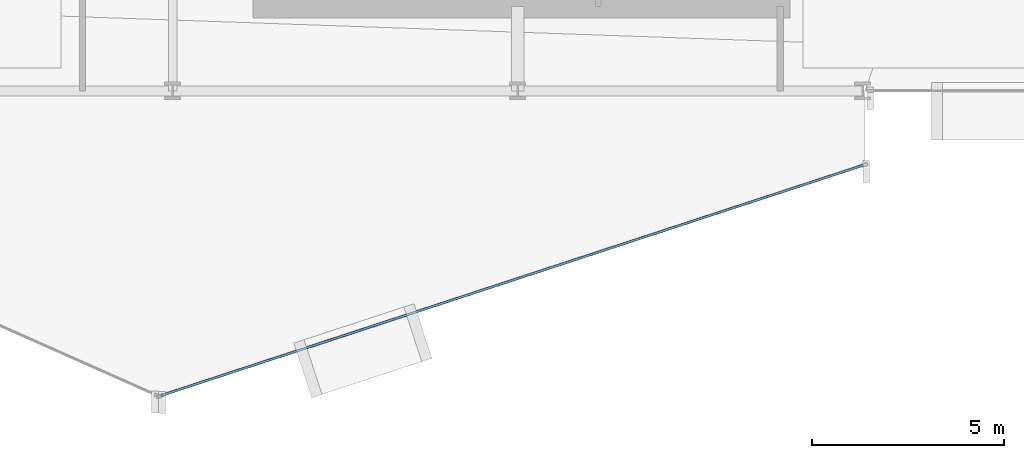
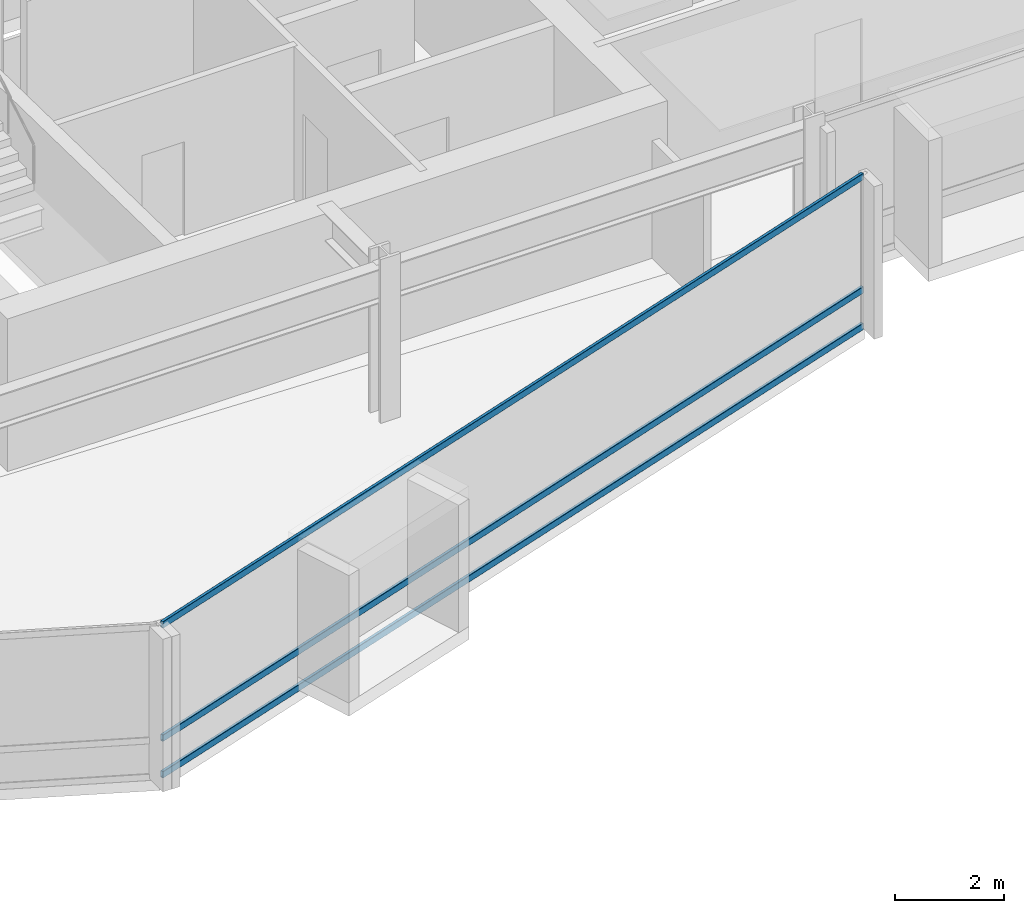
# One storey, part 9 of 29: 3 members, 1 element without a shape of its own.
"""IFC4 building model written with IfcOpenShell, lengths in metres."""

from ifc_helpers import new_model, si_unit, direction, frame, origin, origin_2d, place, context, subcontext, project, spatial, hollow_rectangle, extrude, material, layer, layer_set, material_profile, profile_set, type_object, element, aggregate, save


model = new_model("IFC4")

# Units and contexts
model_context = context("Model", 3, precision=1e-05, world=origin(), true_north=direction((0.0, 1.0)))
body_context = subcontext(model_context, "Body", "Model", "MODEL_VIEW")
ifc_project = project(units=[si_unit("LENGTHUNIT", "METRE"), si_unit("AREAUNIT", "SQUARE_METRE"), si_unit("VOLUMEUNIT", "CUBIC_METRE"), si_unit("PLANEANGLEUNIT", "RADIAN"), si_unit("MASSUNIT", "GRAM", prefix="KILO")], contexts=[model_context])

# Site, building, storey
site_placement = place(None, origin())
site = spatial("IfcSite", under=ifc_project, at=site_placement, CompositionType="ELEMENT")
building_placement = place(site_placement, origin())
building = spatial("IfcBuilding", under=site, at=building_placement, Name="Solvaryn Broadcast Tower", CompositionType="ELEMENT")
storey_placement = place(building_placement, frame((0.0, 0.0, 121.10009765625)))
storey = spatial("IfcBuildingStorey", under=building, at=storey_placement, Name="L29", CompositionType="ELEMENT", Elevation=121.10009765625)

# Curtain wall, members
ifc_material_1 = material(Name="Aluminium and Terracotta Unitised Curtain Wall", Category="masonry")
ifc_layer = layer(ifc_material_1, 0.199951171875)
ifc_layer_set = layer_set([ifc_layer], Name="CW-SYS2-LOWMID")
curtain_wall_type = type_object("IfcCurtainWallType", Name="CW-SYS2-LOWMID", PredefinedType="NOTDEFINED", material=ifc_layer_set)
curtain_wall_placement = place(storey_placement, origin())
curtain_wall = element("IfcCurtainWall", 1, at=curtain_wall_placement, inside=storey, type_object=curtain_wall_type, Name="L29 Curtain Wall DR4", PredefinedType="NOTDEFINED")
ifc_material_2 = material(Name="Anodised Aluminium 6063-T6", Category="aluminium")
ifc_material_profile = material_profile(ifc_material_2, hollow_rectangle(XDim=0.06494140625, YDim=0.14990234375, WallThickness=0.00390625, InnerFilletRadius=0.00390625, OuterFilletRadius=0.008056640625, at=origin_2d()))
ifc_profile_set = profile_set([ifc_material_profile], Name="Anodised Aluminium 6063-T6")
member_type = type_object("IfcMemberType", Name="CW-TRN-150", PredefinedType="USERDEFINED", material=ifc_profile_set)
member_1_placement = place(storey_placement, frame((26.693115234375, 1.052734375, 0.02978515625), z_axis=(0.950198373323, 0.31164571445, 0.0), x_axis=(-0.31164571445, 0.950198373323, 0.0)))
member_1 = element("IfcMember", 2, at=member_1_placement, type_object=member_type, Name="CWS2 transom 1.1", ObjectType="TRANSOM", PredefinedType="USERDEFINED", context=body_context, shape_type="SweptSolid", body=[
    extrude(hollow_rectangle(XDim=0.06494140625, YDim=0.14990234375, WallThickness=0.00390625, InnerFilletRadius=0.00390625, OuterFilletRadius=0.008056640625, at=origin_2d()), origin(), (0.0, 0.0, 1.0), 19.27685546875),
])
member_2_placement = place(storey_placement, frame((26.693115234375, 1.052734375, 0.849853515625), z_axis=(0.950198373323, 0.31164571445, 0.0), x_axis=(-0.31164571445, 0.950198373323, 0.0)))
member_2 = element("IfcMember", 3, at=member_2_placement, type_object=member_type, Name="CWS2 transom 1.2", ObjectType="TRANSOM", PredefinedType="USERDEFINED", context=body_context, shape_type="SweptSolid", body=[
    extrude(hollow_rectangle(XDim=0.06494140625, YDim=0.14990234375, WallThickness=0.00390625, InnerFilletRadius=0.00390625, OuterFilletRadius=0.008056640625, at=origin_2d()), origin(), (0.0, 0.0, 1.0), 19.27685546875),
])
member_3_placement = place(storey_placement, frame((26.693115234375, 1.052734375, 3.389892578125), z_axis=(0.950198373323, 0.31164571445, 0.0), x_axis=(-0.31164571445, 0.950198373323, 0.0)))
member_3 = element("IfcMember", 4, at=member_3_placement, type_object=member_type, Name="CWS2 transom 1.3", ObjectType="TRANSOM", PredefinedType="USERDEFINED", context=body_context, shape_type="SweptSolid", body=[
    extrude(hollow_rectangle(XDim=0.06494140625, YDim=0.14990234375, WallThickness=0.00390625, InnerFilletRadius=0.00390625, OuterFilletRadius=0.008056640625, at=origin_2d()), origin(), (0.0, 0.0, 1.0), 19.27685546875),
])
aggregate(curtain_wall, [member_1, member_2, member_3])

save(model, "model.ifc")
